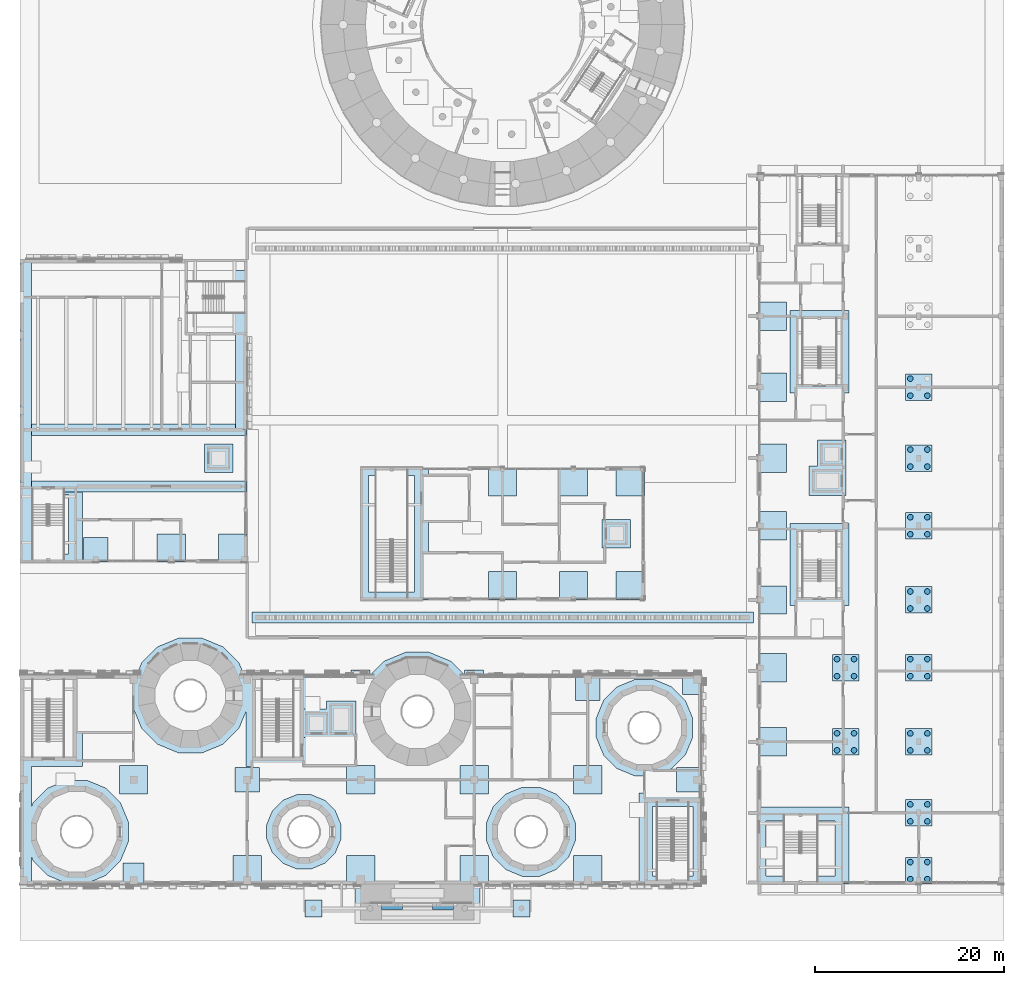
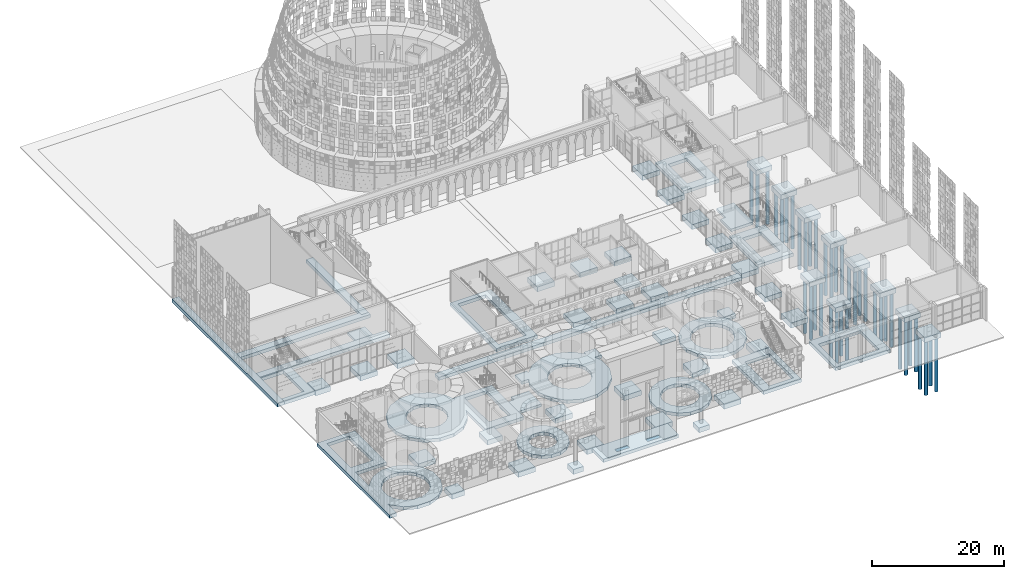
# One storey, part 1 of 125: 65 footings, 39 piles.
"""IFC4 building model written with IfcOpenShell, lengths in metres."""

from ifc_helpers import new_model, si_unit, direction, frame, origin, origin_2d, place, context, subcontext, project, spatial, polyline, rectangle, circle, outline, extrude, material, material_profile, profile_set, type_object, element, save


model = new_model("IFC4")

# Units and contexts
model_context = context("Model", 3, precision=1e-05, world=origin(), true_north=direction((0.0, 1.0)))
body_context = subcontext(model_context, "Body", "Model", "MODEL_VIEW")
ifc_project = project(units=[si_unit("LENGTHUNIT", "METRE"), si_unit("AREAUNIT", "SQUARE_METRE"), si_unit("VOLUMEUNIT", "CUBIC_METRE"), si_unit("PLANEANGLEUNIT", "RADIAN"), si_unit("MASSUNIT", "GRAM", prefix="KILO")], contexts=[model_context])

# Site, building, storey
site_placement = place(None, origin())
site = spatial("IfcSite", under=ifc_project, at=site_placement, CompositionType="ELEMENT")
building_placement = place(site_placement, origin())
building = spatial("IfcBuilding", under=site, at=building_placement, Name="Sun Court Science Centre", CompositionType="ELEMENT")
storey_placement = place(building_placement, origin())
storey = spatial("IfcBuildingStorey", under=building, at=storey_placement, Name="L00", CompositionType="ELEMENT", Elevation=0.0)

# Footing
ifc_material_1 = material(Name="Concrete C30/37", Category="concrete")
footing_type_1 = type_object("IfcFootingType", Name="Arcade strip footing 1200", PredefinedType="STRIP_FOOTING", material=ifc_material_1)
footing_1_placement = place(storey_placement, frame((51.0, 34.14990234375, -0.60009765625), z_axis=(0.0, 0.0, 1.0), x_axis=(1.0, 0.0, 0.0)))
element("IfcFooting", 1, at=footing_1_placement, inside=storey, type_object=footing_type_1, Name="Arcade strip footing AR1", PredefinedType="STRIP_FOOTING", context=body_context, shape_type="SweptSolid", body=[
    extrude(rectangle(XDim=53.0, YDim=1.199951171875, at=origin_2d()), origin(), (0.0, 0.0, 1.0), 0.60009765625),
])

# Piles
ifc_material_2 = material(Name="Concrete C30/37", Category="concrete")
ifc_material_profile = material_profile(ifc_material_2, circle(Radius=0.300048828125, at=origin_2d()), Name="RC D600")
ifc_profile_set = profile_set([ifc_material_profile], Name="Concrete C30/37")
pile_type = type_object("IfcPileType", Name="Bored pile D600", PredefinedType="BORED", material=ifc_profile_set)
for number, where, z_axis, x_axis, name in (
    (2, (86.35009765625, 20.10009765625, -1.0), (0.0, 0.0, -1.0), (1.0, 0.0, 0.0), "Bored pile 14D 1"),
    (3, (88.14990234375, 20.10009765625, -1.0), (0.0, 0.0, -1.0), (1.0, 0.0, 0.0), "Bored pile 14D 2"),
    (4, (88.14990234375, 21.89990234375, -1.0), (0.0, 0.0, -1.0), (1.0, 0.0, 0.0), "Bored pile 14D 3"),
    (5, (86.35009765625, 21.89990234375, -1.0), (0.0, 0.0, -1.0), (1.0, 0.0, 0.0), "Bored pile 14D 4"),
    (6, (86.35009765625, 27.949951171875, -1.0), (0.0, 0.0, -1.0), (1.0, 0.0, 0.0), "Bored pile 14F 1"),
    (7, (88.14990234375, 27.949951171875, -1.0), (0.0, 0.0, -1.0), (1.0, 0.0, 0.0), "Bored pile 14F 2"),
    (8, (88.14990234375, 29.75, -1.0), (0.0, 0.0, -1.0), (1.0, 0.0, 0.0), "Bored pile 14F 3"),
    (9, (86.35009765625, 29.75, -1.0), (0.0, 0.0, -1.0), (1.0, 0.0, 0.0), "Bored pile 14F 4"),
    (10, (94.10009765625, 6.5, -1.0), (0.0, 0.0, -1.0), (1.0, 0.0, 0.0), "Bored pile 15A 1"),
    (11, (95.89990234375, 6.5, -1.0), (0.0, 0.0, -1.0), (1.0, 0.0, 0.0), "Bored pile 15A 2"),
    (12, (95.89990234375, 8.300048828125, -1.0), (0.0, 0.0, -1.0), (1.0, 0.0, 0.0), "Bored pile 15A 3"),
    (13, (94.10009765625, 8.300048828125, -1.0), (0.0, 0.0, -1.0), (1.0, 0.0, 0.0), "Bored pile 15A 4"),
    (14, (94.10009765625, 12.60009765625, -1.0), (0.0, 0.0, -1.0), (1.0, 0.0, 0.0), "Bored pile 15B 1"),
    (15, (95.89990234375, 12.60009765625, -1.0), (0.0, 0.0, -1.0), (1.0, 0.0, 0.0), "Bored pile 15B 2"),
    (16, (95.89990234375, 14.39990234375, -1.0), (0.0, 0.0, -1.0), (1.0, 0.0, 0.0), "Bored pile 15B 3"),
    (17, (94.10009765625, 14.39990234375, -1.0), (0.0, 0.0, -1.0), (1.0, 0.0, 0.0), "Bored pile 15B 4"),
    (18, (94.10009765625, 20.10009765625, -1.0), (0.0, 0.0, -1.0), (1.0, 0.0, 0.0), "Bored pile 15D 1"),
    (19, (95.89990234375, 20.10009765625, -1.0), (0.0, 0.0, -1.0), (1.0, 0.0, 0.0), "Bored pile 15D 2"),
    (20, (95.89990234375, 21.89990234375, -1.0), (0.0, 0.0, -1.0), (1.0, 0.0, 0.0), "Bored pile 15D 3"),
    (21, (94.10009765625, 21.89990234375, -1.0), (0.0, 0.0, -1.0), (1.0, 0.0, 0.0), "Bored pile 15D 4"),
    (22, (94.10009765625, 27.949951171875, -1.0), (0.0, 0.0, -1.0), (1.0, 0.0, 0.0), "Bored pile 15F 1"),
    (23, (95.89990234375, 27.949951171875, -1.0), (0.0, 0.0, -1.0), (1.0, 0.0, 0.0), "Bored pile 15F 2"),
    (24, (95.89990234375, 29.75, -1.0), (0.0, 0.0, -1.0), (1.0, 0.0, 0.0), "Bored pile 15F 3"),
    (25, (94.10009765625, 29.75, -1.0), (0.0, 0.0, -1.0), (1.0, 0.0, 0.0), "Bored pile 15F 4"),
    (26, (94.10009765625, 35.10009765625, -1.0), (0.0, 0.0, -1.0), (1.0, 0.0, 0.0), "Bored pile 15G 1"),
    (27, (95.89990234375, 35.10009765625, -1.0), (0.0, 0.0, -1.0), (1.0, 0.0, 0.0), "Bored pile 15G 2"),
    (28, (95.89990234375, 36.89990234375, -1.0), (0.0, 0.0, -1.0), (1.0, 0.0, 0.0), "Bored pile 15G 3"),
    (29, (94.10009765625, 36.89990234375, -1.0), (0.0, 0.0, -1.0), (1.0, 0.0, 0.0), "Bored pile 15G 4"),
    (30, (94.10009765625, 42.949951171875, -1.0), (0.0, 0.0, -1.0), (1.0, 0.0, 0.0), "Bored pile 15J 1"),
    (31, (95.89990234375, 42.949951171875, -1.0), (0.0, 0.0, -1.0), (1.0, 0.0, 0.0), "Bored pile 15J 2"),
    (32, (95.89990234375, 44.75, -1.0), (0.0, 0.0, -1.0), (1.0, 0.0, 0.0), "Bored pile 15J 3"),
    (33, (94.10009765625, 44.75, -1.0), (0.0, 0.0, -1.0), (1.0, 0.0, 0.0), "Bored pile 15J 4"),
    (34, (94.10009765625, 50.10009765625, -1.0), (0.0, 0.0, -1.0), (1.0, 0.0, 0.0), "Bored pile 15M 1"),
    (35, (95.89990234375, 50.10009765625, -1.0), (0.0, 0.0, -1.0), (1.0, 0.0, 0.0), "Bored pile 15M 2"),
    (36, (95.89990234375, 51.89990234375, -1.0), (0.0, 0.0, -1.0), (1.0, 0.0, 0.0), "Bored pile 15M 3"),
    (37, (94.10009765625, 51.89990234375, -1.0), (0.0, 0.0, -1.0), (1.0, 0.0, 0.0), "Bored pile 15M 4"),
    (38, (94.10009765625, 57.60009765625, -1.0), (0.0, 0.0, -1.0), (1.0, 0.0, 0.0), "Bored pile 15P 1"),
    (39, (95.89990234375, 57.60009765625, -1.0), (0.0, 0.0, -1.0), (1.0, 0.0, 0.0), "Bored pile 15P 2"),
    (40, (94.10009765625, 59.39990234375, -1.0), (0.0, 0.0, -1.0), (1.0, 0.0, 0.0), "Bored pile 15P 4"),
):
    element("IfcPile", number, at=place(storey_placement, frame(where, z_axis=z_axis, x_axis=x_axis)), inside=storey, type_object=pile_type, Name=name, PredefinedType="BORED", context=body_context, shape_type="SweptSolid", body=[
        extrude(circle(Radius=0.300048828125, at=origin_2d()), origin(), (0.0, 0.0, 1.0), 10.10009765625),
    ])

# Footings
ifc_material_3 = material(Name="Concrete C30/37", Category="concrete")
footing_type_2 = type_object("IfcFootingType", Name="Iwan jamb footing 700", PredefinedType="STRIP_FOOTING", material=ifc_material_3)
for number, where, z_axis, x_axis, name in (
    (41, (39.30517578125, 3.64990234375, -0.800048828125), (0.0, 0.0, 1.0), (1.0, 0.0, 0.0), "Iwan jamb footing west"),
    (42, (44.69482421875, 3.64990234375, -0.800048828125), (0.0, 0.0, 1.0), (1.0, 0.0, 0.0), "Iwan jamb footing east"),
):
    element("IfcFooting", number, at=place(storey_placement, frame(where, z_axis=z_axis, x_axis=x_axis)), inside=storey, type_object=footing_type_2, Name=name, PredefinedType="STRIP_FOOTING", context=body_context, shape_type="SweptSolid", body=[
        extrude(rectangle(XDim=2.21044921875, YDim=0.699951171875, at=origin_2d()), origin(), (0.0, 0.0, 1.0), 0.60009765625),
    ])
ifc_material_4 = material(Name="Concrete C30/37", Category="concrete")
footing_type_3 = type_object("IfcFootingType", Name="Lift pit mat", PredefinedType="PAD_FOOTING", material=ifc_material_4)
footing_2_placement = place(storey_placement, frame((0.0, 0.0, -1.89990234375)))
element("IfcFooting", 43, at=footing_2_placement, inside=storey, type_object=footing_type_3, Name="Lift pit mat footing", PredefinedType="PAD_FOOTING", context=body_context, shape_type="SweptSolid", body=[
    extrude(outline(polyline([(29.847412109375, 24.472412109375), (29.847412109375, 21.447509765625), (32.87255859375, 21.447509765625), (32.87255859375, 21.449951171875), (35.5, 21.449951171875), (35.5, 25.35009765625), (32.39990234375, 25.35009765625), (32.39990234375, 24.472412109375), (29.847412109375, 24.472412109375)])), origin(), (0.0, 0.0, 1.0), 0.5),
])
footing_3_placement = place(storey_placement, frame((0.0, 0.0, -1.89990234375)))
element("IfcFooting", 44, at=footing_3_placement, inside=storey, type_object=footing_type_3, Name="Lift pit mat footing", PredefinedType="PAD_FOOTING", context=body_context, shape_type="SweptSolid", body=[
    extrude(outline(polyline([(83.39990234375, 50.14990234375), (83.39990234375, 47.050048828125), (87.300048828125, 47.050048828125), (87.300048828125, 49.887451171875), (87.302490234375, 49.887451171875), (87.302490234375, 52.91259765625), (84.277587890625, 52.91259765625), (84.277587890625, 50.14990234375), (83.39990234375, 50.14990234375)])), origin(), (0.0, 0.0, 1.0), 0.5),
])
footing_4_placement = place(storey_placement, frame((0.0, 0.0, -1.89990234375)))
element("IfcFooting", 45, at=footing_4_placement, inside=storey, type_object=footing_type_3, Name="Lift pit mat footing", PredefinedType="PAD_FOOTING", context=body_context, shape_type="SweptSolid", body=[
    extrude(outline(polyline([(19.487548828125, 49.487548828125), (22.512451171875, 49.487548828125), (22.512451171875, 52.512451171875), (19.487548828125, 52.512451171875), (19.487548828125, 49.487548828125)])), origin(), (0.0, 0.0, 1.0), 0.5),
])
footing_5_placement = place(storey_placement, frame((0.0, 0.0, -1.89990234375)))
element("IfcFooting", 46, at=footing_5_placement, inside=storey, type_object=footing_type_3, Name="Lift pit mat footing", PredefinedType="PAD_FOOTING", context=body_context, shape_type="SweptSolid", body=[
    extrude(outline(polyline([(61.487548828125, 41.487548828125), (64.512451171875, 41.487548828125), (64.512451171875, 44.512451171875), (61.487548828125, 44.512451171875), (61.487548828125, 41.487548828125)])), origin(), (0.0, 0.0, 1.0), 0.5),
])
ifc_material_5 = material(Name="Concrete C30/37", Category="concrete")
footing_type_4 = type_object("IfcFootingType", Name="Pad footing 1800 1800 900", PredefinedType="PAD_FOOTING", material=ifc_material_5)
for number, where, z_axis, x_axis, name in (
    (47, (31.0, 3.39990234375, -1.099853515625), (0.0, 0.0, 1.0), (1.0, 0.0, 0.0), "Pad footing CP1"),
    (48, (53.0, 3.39990234375, -1.099853515625), (0.0, 0.0, 1.0), (1.0, 0.0, 0.0), "Pad footing CP4"),
):
    element("IfcFooting", number, at=place(storey_placement, frame(where, z_axis=z_axis, x_axis=x_axis)), inside=storey, type_object=footing_type_4, Name=name, PredefinedType="PAD_FOOTING", context=body_context, shape_type="SweptSolid", body=[
        extrude(rectangle(XDim=1.800048828125, YDim=1.800048828125, at=origin_2d()), origin(), (0.0, 0.0, 1.0), 0.89990234375),
    ])
ifc_material_6 = material(Name="Concrete C30/37", Category="concrete")
footing_type_5 = type_object("IfcFootingType", Name="Pad footing 2000 2000 900", PredefinedType="PAD_FOOTING", material=ifc_material_6)
footing_6_placement = place(storey_placement, frame((71.0, 27.0, -1.099853515625), z_axis=(0.0, 0.0, 1.0), x_axis=(1.0, 0.0, 0.0)))
element("IfcFooting", 49, at=footing_6_placement, inside=storey, type_object=footing_type_5, Name="Pad footing 11E", PredefinedType="PAD_FOOTING", context=body_context, shape_type="SweptSolid", body=[
    extrude(rectangle(XDim=2.0, YDim=2.0, at=origin_2d()), origin(), (0.0, 0.0, 1.0), 0.89990234375),
])
ifc_material_7 = material(Name="Concrete C30/37", Category="concrete")
footing_type_6 = type_object("IfcFootingType", Name="Pad footing 2200 2200 900", PredefinedType="PAD_FOOTING", material=ifc_material_7)
footing_7_placement = place(storey_placement, frame((12.0, 7.10009765625, -1.099853515625), z_axis=(0.0, 0.0, 1.0), x_axis=(1.0, 0.0, 0.0)))
element("IfcFooting", 50, at=footing_7_placement, inside=storey, type_object=footing_type_6, Name="Pad footing 2A", PredefinedType="PAD_FOOTING", context=body_context, shape_type="SweptSolid", body=[
    extrude(rectangle(XDim=2.199951171875, YDim=2.199951171875, at=origin_2d()), origin(), (0.0, 0.0, 1.0), 0.89990234375),
])
ifc_material_8 = material(Name="Concrete C30/37", Category="concrete")
footing_type_7 = type_object("IfcFootingType", Name="Pad footing 2600 2600 900", PredefinedType="PAD_FOOTING", material=ifc_material_8)
for number, where, z_axis, x_axis, name in (
    (51, (24.0, 17.0, -1.099853515625), (0.0, 0.0, 1.0), (1.0, 0.0, 0.0), "Pad footing 3C"),
    (52, (60.0, 26.699951171875, -1.099853515625), (0.0, 0.0, 1.0), (1.0, 0.0, 0.0), "Pad footing 9E"),
    (53, (70.699951171875, 17.0, -1.099853515625), (0.0, 0.0, 1.0), (1.0, 0.0, 0.0), "Pad footing 11C"),
    (54, (8.0, 41.300048828125, -1.099853515625), (0.0, 0.0, 1.0), (1.0, 0.0, 0.0), "Pad footing A"),
):
    element("IfcFooting", number, at=place(storey_placement, frame(where, z_axis=z_axis, x_axis=x_axis)), inside=storey, type_object=footing_type_7, Name=name, PredefinedType="PAD_FOOTING", context=body_context, shape_type="SweptSolid", body=[
        extrude(rectangle(XDim=2.60009765625, YDim=2.60009765625, at=origin_2d()), origin(), (0.0, 0.0, 1.0), 0.89990234375),
    ])
ifc_material_9 = material(Name="Concrete C30/37", Category="concrete")
footing_type_8 = type_object("IfcFootingType", Name="Pad footing 3000 3000 900", PredefinedType="PAD_FOOTING", material=ifc_material_9)
for number, where, z_axis, x_axis, name in (
    (55, (12.0, 17.0, -1.099853515625), (0.0, 0.0, 1.0), (1.0, 0.0, 0.0), "Pad footing 2C"),
    (56, (24.0, 7.5, -1.099853515625), (0.0, 0.0, 1.0), (1.0, 0.0, 0.0), "Pad footing 3A"),
    (57, (36.0, 7.5, -1.099853515625), (0.0, 0.0, 1.0), (1.0, 0.0, 0.0), "Pad footing 4A"),
    (58, (36.0, 17.0, -1.099853515625), (0.0, 0.0, 1.0), (1.0, 0.0, 0.0), "Pad footing 4C"),
    (59, (48.0, 7.5, -1.099853515625), (0.0, 0.0, 1.0), (1.0, 0.0, 0.0), "Pad footing 6A"),
    (60, (48.0, 17.0, -1.099853515625), (0.0, 0.0, 1.0), (1.0, 0.0, 0.0), "Pad footing 6C"),
    (61, (60.0, 7.5, -1.099853515625), (0.0, 0.0, 1.0), (1.0, 0.0, 0.0), "Pad footing 9A"),
    (62, (60.0, 17.0, -1.099853515625), (0.0, 0.0, 1.0), (1.0, 0.0, 0.0), "Pad footing 9C"),
    (63, (79.5, 21.0, -1.099853515625), (0.0, 0.0, 1.0), (1.0, 0.0, 0.0), "Pad footing 12D"),
    (64, (79.5, 28.85009765625, -1.099853515625), (0.0, 0.0, 1.0), (1.0, 0.0, 0.0), "Pad footing 12F"),
    (65, (79.5, 36.0, -1.099853515625), (0.0, 0.0, 1.0), (1.0, 0.0, 0.0), "Pad footing 12G"),
    (66, (79.5, 43.85009765625, -1.099853515625), (0.0, 0.0, 1.0), (1.0, 0.0, 0.0), "Pad footing 12J"),
    (67, (79.5, 51.0, -1.099853515625), (0.0, 0.0, 1.0), (1.0, 0.0, 0.0), "Pad footing 12M"),
    (68, (79.5, 58.5, -1.099853515625), (0.0, 0.0, 1.0), (1.0, 0.0, 0.0), "Pad footing 12P"),
    (69, (79.5, 66.0, -1.099853515625), (0.0, 0.0, 1.0), (1.0, 0.0, 0.0), "Pad footing 12R"),
    (70, (16.0, 41.5, -1.099853515625), (0.0, 0.0, 1.0), (1.0, 0.0, 0.0), "Pad footing B"),
    (71, (22.5, 41.5, -1.099853515625), (0.0, 0.0, 1.0), (1.0, 0.0, 0.0), "Pad footing C"),
    (72, (51.0, 37.5, -1.099853515625), (0.0, 0.0, 1.0), (1.0, 0.0, 0.0), "Pad footing 7G"),
    (73, (51.0, 48.5, -1.099853515625), (0.0, 0.0, 1.0), (1.0, 0.0, 0.0), "Pad footing 750"),
    (74, (58.5, 37.5, -1.099853515625), (0.0, 0.0, 1.0), (1.0, 0.0, 0.0), "Pad footing 8G"),
    (75, (58.5, 48.5, -1.099853515625), (0.0, 0.0, 1.0), (1.0, 0.0, 0.0), "Pad footing 850"),
    (76, (64.5, 37.5, -1.099853515625), (0.0, 0.0, 1.0), (1.0, 0.0, 0.0), "Pad footing 10G"),
    (77, (64.5, 48.5, -1.099853515625), (0.0, 0.0, 1.0), (1.0, 0.0, 0.0), "Pad footing 1050"),
):
    element("IfcFooting", number, at=place(storey_placement, frame(where, z_axis=z_axis, x_axis=x_axis)), inside=storey, type_object=footing_type_8, Name=name, PredefinedType="PAD_FOOTING", context=body_context, shape_type="SweptSolid", body=[
        extrude(rectangle(XDim=3.0, YDim=3.0, at=origin_2d()), origin(), (0.0, 0.0, 1.0), 0.89990234375),
    ])
ifc_material_10 = material(Name="Concrete C30/37", Category="concrete")
footing_type_9 = type_object("IfcFootingType", Name="Pile cap 2800 2800 900", PredefinedType="PILE_CAP", material=ifc_material_10)
for number, where, z_axis, x_axis, name in (
    (78, (87.25, 21.0, -1.099853515625), (0.0, 0.0, 1.0), (1.0, 0.0, 0.0), "Pile cap 14D"),
    (79, (87.25, 28.85009765625, -1.099853515625), (0.0, 0.0, 1.0), (1.0, 0.0, 0.0), "Pile cap 14F"),
    (80, (95.0, 7.39990234375, -1.099853515625), (0.0, 0.0, 1.0), (1.0, 0.0, 0.0), "Pile cap 15A"),
    (81, (95.0, 13.5, -1.099853515625), (0.0, 0.0, 1.0), (1.0, 0.0, 0.0), "Pile cap 15B"),
    (82, (95.0, 21.0, -1.099853515625), (0.0, 0.0, 1.0), (1.0, 0.0, 0.0), "Pile cap 15D"),
    (83, (95.0, 28.85009765625, -1.099853515625), (0.0, 0.0, 1.0), (1.0, 0.0, 0.0), "Pile cap 15F"),
    (84, (95.0, 36.0, -1.099853515625), (0.0, 0.0, 1.0), (1.0, 0.0, 0.0), "Pile cap 15G"),
    (85, (95.0, 43.85009765625, -1.099853515625), (0.0, 0.0, 1.0), (1.0, 0.0, 0.0), "Pile cap 15J"),
    (86, (95.0, 51.0, -1.099853515625), (0.0, 0.0, 1.0), (1.0, 0.0, 0.0), "Pile cap 15M"),
    (87, (95.0, 58.5, -1.099853515625), (0.0, 0.0, 1.0), (1.0, 0.0, 0.0), "Pile cap 15P"),
):
    element("IfcFooting", number, at=place(storey_placement, frame(where, z_axis=z_axis, x_axis=x_axis)), inside=storey, type_object=footing_type_9, Name=name, PredefinedType="PILE_CAP", context=body_context, shape_type="SweptSolid", body=[
        extrude(rectangle(XDim=2.800048828125, YDim=2.800048828125, at=origin_2d()), origin(), (0.0, 0.0, 1.0), 0.89990234375),
    ])
ifc_material_11 = material(Name="Concrete C30/37", Category="concrete")
footing_type_10 = type_object("IfcFootingType", Name="Strip footing", PredefinedType="STRIP_FOOTING", material=ifc_material_11)
footing_8_placement = place(storey_placement, frame((0.0, 0.0, -0.800048828125)))
element("IfcFooting", 88, at=footing_8_placement, inside=storey, type_object=footing_type_10, Name="Strip and ring footing", PredefinedType="STRIP_FOOTING", context=body_context, shape_type="SweptSolid", body=[
    extrude(outline(polyline([(2.91650390625, 6.88525390625), (4.917236328125, 6.056640625), (7.082763671875, 6.056640625), (9.08349609375, 6.88525390625), (10.61474609375, 8.41650390625), (11.443359375, 10.417236328125), (11.443359375, 12.582763671875), (10.61474609375, 14.58349609375), (9.08349609375, 16.11474609375), (7.082763671875, 16.943359375), (4.917236328125, 16.943359375), (2.91650390625, 16.11474609375), (1.38525390625, 14.58349609375), (1.199951171875, 14.135986328125), (1.199951171875, 18.39990234375), (6.60009765625, 18.39990234375), (6.60009765625, 28.0), (0.0, 28.0), (0.0, 6.0), (1.199951171875, 6.0), (1.199951171875, 8.864013671875), (1.38525390625, 8.41650390625), (2.91650390625, 6.88525390625)]), holes=[polyline([(2.891845703125, 13.576904296875), (3.923095703125, 14.608154296875), (5.270751953125, 15.16650390625), (6.729248046875, 15.16650390625), (8.076904296875, 14.608154296875), (9.108154296875, 13.576904296875), (9.66650390625, 12.229248046875), (9.66650390625, 10.770751953125), (9.108154296875, 9.423095703125), (8.076904296875, 8.391845703125), (6.729248046875, 7.83349609375), (5.270751953125, 7.83349609375), (3.923095703125, 8.391845703125), (2.891845703125, 9.423095703125), (2.33349609375, 10.770751953125), (2.33349609375, 12.229248046875), (2.891845703125, 13.576904296875)]), polyline([(1.199951171875, 27.14990234375), (5.14990234375, 27.14990234375), (5.14990234375, 19.85009765625), (1.199951171875, 19.85009765625), (1.199951171875, 27.14990234375)])]), origin(), (0.0, 0.0, 1.0), 0.60009765625),
])
footing_9_placement = place(storey_placement, frame((0.0, 0.0, -0.800048828125)))
element("IfcFooting", 89, at=footing_9_placement, inside=storey, type_object=footing_type_10, Name="Strip and ring footing", PredefinedType="STRIP_FOOTING", context=body_context, shape_type="SweptSolid", body=[
    extrude(outline(polyline([(16.79052734375, 19.819091796875), (19.20947265625, 19.819091796875), (21.444580078125, 20.744873046875), (23.155029296875, 22.45556640625), (23.89990234375, 24.25390625), (23.89990234375, 18.39990234375), (30.60009765625, 18.39990234375), (30.60009765625, 28.0), (23.89990234375, 28.0), (23.89990234375, 27.546142578125), (23.155029296875, 29.344482421875), (21.444580078125, 31.05517578125), (19.20947265625, 31.98095703125), (16.79052734375, 31.98095703125), (14.555419921875, 31.05517578125), (12.844970703125, 29.344482421875), (11.919189453125, 27.109619140625), (11.919189453125, 24.6904296875), (12.844970703125, 22.45556640625), (14.555419921875, 20.744873046875), (16.79052734375, 19.819091796875)]), holes=[polyline([(25.35009765625, 19.85009765625), (25.35009765625, 27.14990234375), (29.14990234375, 27.14990234375), (29.14990234375, 19.85009765625), (25.35009765625, 19.85009765625)]), polyline([(14.873046875, 26.52197265625), (15.34912109375, 27.67138671875), (16.228759765625, 28.551025390625), (17.3779296875, 29.027099609375), (18.6220703125, 29.027099609375), (19.771240234375, 28.551025390625), (20.65087890625, 27.67138671875), (21.126953125, 26.52197265625), (21.126953125, 25.278076171875), (20.65087890625, 24.128662109375), (19.771240234375, 23.2490234375), (18.6220703125, 22.77294921875), (17.3779296875, 22.77294921875), (16.228759765625, 23.2490234375), (15.34912109375, 24.128662109375), (14.873046875, 25.278076171875), (14.873046875, 26.52197265625)])]), origin(), (0.0, 0.0, 1.0), 0.60009765625),
])
footing_10_placement = place(storey_placement, frame((0.0, 0.0, -0.800048828125)))
element("IfcFooting", 90, at=footing_10_placement, inside=storey, type_object=footing_type_10, Name="Strip and ring footing", PredefinedType="STRIP_FOOTING", context=body_context, shape_type="SweptSolid", body=[
    extrude(outline(polyline([(27.77783203125, 8.174072265625), (29.2197265625, 7.576904296875), (30.7802734375, 7.576904296875), (32.22216796875, 8.174072265625), (33.325927734375, 9.27783203125), (33.923095703125, 10.7197265625), (33.923095703125, 12.2802734375), (33.325927734375, 13.72216796875), (32.22216796875, 14.825927734375), (30.7802734375, 15.423095703125), (29.2197265625, 15.423095703125), (27.77783203125, 14.825927734375), (26.674072265625, 13.72216796875), (26.076904296875, 12.2802734375), (26.076904296875, 10.7197265625), (26.674072265625, 9.27783203125), (27.77783203125, 8.174072265625)]), holes=[polyline([(28.180419921875, 12.7158203125), (28.7841796875, 13.319580078125), (29.572998046875, 13.646240234375), (30.427001953125, 13.646240234375), (31.2158203125, 13.319580078125), (31.819580078125, 12.7158203125), (32.146240234375, 11.927001953125), (32.146240234375, 11.072998046875), (31.819580078125, 10.2841796875), (31.2158203125, 9.680419921875), (30.427001953125, 9.353759765625), (29.572998046875, 9.353759765625), (28.7841796875, 9.680419921875), (28.180419921875, 10.2841796875), (27.853759765625, 11.072998046875), (27.853759765625, 11.927001953125), (28.180419921875, 12.7158203125)])]), origin(), (0.0, 0.0, 1.0), 0.60009765625),
])
footing_11_placement = place(storey_placement, frame((0.0, 0.0, -0.800048828125)))
element("IfcFooting", 91, at=footing_11_placement, inside=storey, type_object=footing_type_10, Name="Strip and ring footing", PredefinedType="STRIP_FOOTING", context=body_context, shape_type="SweptSolid", body=[
    extrude(outline(polyline([(36.6787109375, 20.644287109375), (38.4443359375, 18.878662109375), (40.75146484375, 17.923095703125), (43.24853515625, 17.923095703125), (45.5556640625, 18.878662109375), (47.3212890625, 20.644287109375), (48.277099609375, 22.951416015625), (48.277099609375, 25.448486328125), (47.800048828125, 26.60009765625), (49.0, 26.60009765625), (49.0, 28.60009765625), (47.0, 28.60009765625), (47.0, 28.0771484375), (45.5556640625, 29.521484375), (43.24853515625, 30.47705078125), (40.75146484375, 30.47705078125), (38.4443359375, 29.521484375), (37.0, 28.0771484375), (37.0, 28.60009765625), (35.0, 28.60009765625), (35.0, 26.60009765625), (36.199951171875, 26.60009765625), (35.722900390625, 25.448486328125), (35.722900390625, 22.951416015625), (36.6787109375, 20.644287109375)]), holes=[polyline([(38.6767578125, 24.861083984375), (39.182861328125, 26.08251953125), (40.11767578125, 27.017333984375), (41.3388671875, 27.523193359375), (42.6611328125, 27.523193359375), (43.88232421875, 27.017333984375), (44.817138671875, 26.08251953125), (45.3232421875, 24.861083984375), (45.3232421875, 23.5390625), (44.817138671875, 22.317626953125), (43.88232421875, 21.3828125), (42.6611328125, 20.876953125), (41.3388671875, 20.876953125), (40.11767578125, 21.3828125), (39.182861328125, 22.317626953125), (38.6767578125, 23.5390625), (38.6767578125, 24.861083984375)])]), origin(), (0.0, 0.0, 1.0), 0.60009765625),
])
footing_12_placement = place(storey_placement, frame((0.0, 0.0, -0.800048828125)))
element("IfcFooting", 92, at=footing_12_placement, inside=storey, type_object=footing_type_10, Name="Strip and ring footing", PredefinedType="STRIP_FOOTING", context=body_context, shape_type="SweptSolid", body=[
    extrude(outline(polyline([(50.009033203125, 8.833251953125), (51.333251953125, 7.509033203125), (53.0634765625, 6.792236328125), (54.9365234375, 6.792236328125), (56.666748046875, 7.509033203125), (57.990966796875, 8.833251953125), (58.707763671875, 10.5634765625), (58.707763671875, 12.4365234375), (57.990966796875, 14.166748046875), (56.666748046875, 15.490966796875), (54.9365234375, 16.207763671875), (53.0634765625, 16.207763671875), (51.333251953125, 15.490966796875), (50.009033203125, 14.166748046875), (49.292236328125, 12.4365234375), (49.292236328125, 10.5634765625), (50.009033203125, 8.833251953125)]), holes=[polyline([(51.069091796875, 12.0830078125), (51.515380859375, 13.16015625), (52.33984375, 13.984619140625), (53.4169921875, 14.430908203125), (54.5830078125, 14.430908203125), (55.66015625, 13.984619140625), (56.484619140625, 13.16015625), (56.930908203125, 12.0830078125), (56.930908203125, 10.9169921875), (56.484619140625, 9.83984375), (55.66015625, 9.015380859375), (54.5830078125, 8.569091796875), (53.4169921875, 8.569091796875), (52.33984375, 9.015380859375), (51.515380859375, 9.83984375), (51.069091796875, 10.9169921875), (51.069091796875, 12.0830078125)])]), origin(), (0.0, 0.0, 1.0), 0.60009765625),
])
footing_13_placement = place(storey_placement, frame((0.0, 0.0, -0.800048828125)))
element("IfcFooting", 93, at=footing_13_placement, inside=storey, type_object=footing_type_10, Name="Strip and ring footing", PredefinedType="STRIP_FOOTING", context=body_context, shape_type="SweptSolid", body=[
    extrude(outline(polyline([(63.111083984375, 18.17626953125), (64.985595703125, 17.39990234375), (67.014404296875, 17.39990234375), (68.888916015625, 18.17626953125), (70.32373046875, 19.611083984375), (71.10009765625, 21.485595703125), (71.10009765625, 23.514404296875), (70.32373046875, 25.388916015625), (68.888916015625, 26.82373046875), (67.014404296875, 27.60009765625), (64.985595703125, 27.60009765625), (63.111083984375, 26.82373046875), (61.67626953125, 25.388916015625), (60.89990234375, 23.514404296875), (60.89990234375, 21.485595703125), (61.67626953125, 19.611083984375), (63.111083984375, 18.17626953125)]), holes=[polyline([(63.182861328125, 24.38232421875), (64.11767578125, 25.317138671875), (65.3388671875, 25.8232421875), (66.6611328125, 25.8232421875), (67.88232421875, 25.317138671875), (68.817138671875, 24.38232421875), (69.3232421875, 23.1611328125), (69.3232421875, 21.8388671875), (68.817138671875, 20.61767578125), (67.88232421875, 19.682861328125), (66.6611328125, 19.1767578125), (65.3388671875, 19.1767578125), (64.11767578125, 19.682861328125), (63.182861328125, 20.61767578125), (62.6767578125, 21.8388671875), (62.6767578125, 23.1611328125), (63.182861328125, 24.38232421875)])]), origin(), (0.0, 0.0, 1.0), 0.60009765625),
])
footing_14_placement = place(storey_placement, frame((0.0, 0.0, -0.800048828125)))
element("IfcFooting", 94, at=footing_14_placement, inside=storey, type_object=footing_type_10, Name="Strip and ring footing", PredefinedType="STRIP_FOOTING", context=body_context, shape_type="SweptSolid", body=[
    extrude(outline(polyline([(65.39990234375, 6.0), (72.0, 6.0), (72.0, 15.60009765625), (65.39990234375, 15.60009765625), (65.39990234375, 6.0)]), holes=[polyline([(66.85009765625, 6.85009765625), (66.85009765625, 14.14990234375), (71.14990234375, 14.14990234375), (71.14990234375, 6.85009765625), (66.85009765625, 6.85009765625)])]), origin(), (0.0, 0.0, 1.0), 0.60009765625),
])
footing_15_placement = place(storey_placement, frame((0.0, 0.0, -0.800048828125)))
element("IfcFooting", 95, at=footing_15_placement, inside=storey, type_object=footing_type_10, Name="Strip footing", PredefinedType="STRIP_FOOTING", context=body_context, shape_type="SweptSolid", body=[
    extrude(outline(polyline([(78.0, 14.10009765625), (78.0, 6.0), (87.60009765625, 6.0), (87.60009765625, 14.10009765625), (78.0, 14.10009765625)]), holes=[polyline([(86.14990234375, 6.85009765625), (78.85009765625, 6.85009765625), (78.85009765625, 12.64990234375), (86.14990234375, 12.64990234375), (86.14990234375, 6.85009765625)])]), origin(), (0.0, 0.0, 1.0), 0.60009765625),
])
footing_16_placement = place(storey_placement, frame((0.0, 0.0, -0.800048828125)))
element("IfcFooting", 96, at=footing_16_placement, inside=storey, type_object=footing_type_10, Name="Strip footing", PredefinedType="STRIP_FOOTING", context=body_context, shape_type="SweptSolid", body=[
    extrude(outline(polyline([(81.39990234375, 44.10009765625), (81.39990234375, 35.39990234375), (87.60009765625, 35.39990234375), (87.60009765625, 44.10009765625), (81.39990234375, 44.10009765625)]), holes=[polyline([(86.14990234375, 36.85009765625), (82.85009765625, 36.85009765625), (82.85009765625, 42.64990234375), (86.14990234375, 42.64990234375), (86.14990234375, 36.85009765625)])]), origin(), (0.0, 0.0, 1.0), 0.60009765625),
])
footing_17_placement = place(storey_placement, frame((0.0, 0.0, -0.800048828125)))
element("IfcFooting", 97, at=footing_17_placement, inside=storey, type_object=footing_type_10, Name="Strip footing", PredefinedType="STRIP_FOOTING", context=body_context, shape_type="SweptSolid", body=[
    extrude(outline(polyline([(87.60009765625, 66.60009765625), (81.39990234375, 66.60009765625), (81.39990234375, 57.89990234375), (87.60009765625, 57.89990234375), (87.60009765625, 66.60009765625)]), holes=[polyline([(86.14990234375, 65.14990234375), (86.14990234375, 59.35009765625), (82.85009765625, 59.35009765625), (82.85009765625, 65.14990234375), (86.14990234375, 65.14990234375)])]), origin(), (0.0, 0.0, 1.0), 0.60009765625),
])
footing_18_placement = place(storey_placement, frame((0.0, 0.0, -0.800048828125)))
element("IfcFooting", 98, at=footing_18_placement, inside=storey, type_object=footing_type_10, Name="Theatre strip footing", PredefinedType="STRIP_FOOTING", context=body_context, shape_type="SweptSolid", body=[
    extrude(outline(polyline([(0.0, 40.0), (1.199951171875, 40.0), (1.199951171875, 72.0), (0.0, 72.0), (0.0, 40.0)])), origin(), (0.0, 0.0, 1.0), 0.60009765625),
])
footing_19_placement = place(storey_placement, frame((0.0, 0.0, -0.800048828125)))
element("IfcFooting", 99, at=footing_19_placement, inside=storey, type_object=footing_type_10, Name="Theatre strip footing", PredefinedType="STRIP_FOOTING", context=body_context, shape_type="SweptSolid", body=[
    extrude(outline(polyline([(24.0, 54.0), (24.0, 70.800048828125), (22.800048828125, 70.800048828125), (22.800048828125, 54.0), (24.0, 54.0)])), origin(), (0.0, 0.0, 1.0), 0.60009765625),
])
footing_20_placement = place(storey_placement, frame((0.0, 0.0, -0.800048828125)))
element("IfcFooting", 100, at=footing_20_placement, inside=storey, type_object=footing_type_10, Name="Theatre strip footing", PredefinedType="STRIP_FOOTING", context=body_context, shape_type="SweptSolid", body=[
    extrude(outline(polyline([(24.0, 48.60009765625), (1.199951171875, 48.60009765625), (1.199951171875, 47.39990234375), (24.0, 47.39990234375), (24.0, 48.60009765625)])), origin(), (0.0, 0.0, 1.0), 0.60009765625),
])
footing_21_placement = place(storey_placement, frame((0.0, 0.0, -0.800048828125)))
element("IfcFooting", 101, at=footing_21_placement, inside=storey, type_object=footing_type_10, Name="Theatre strip footing", PredefinedType="STRIP_FOOTING", context=body_context, shape_type="SweptSolid", body=[
    extrude(outline(polyline([(24.0, 53.39990234375), (24.0, 54.0), (22.800048828125, 54.0), (22.800048828125, 54.60009765625), (1.199951171875, 54.60009765625), (1.199951171875, 53.39990234375), (24.0, 53.39990234375)])), origin(), (0.0, 0.0, 1.0), 0.60009765625),
])
footing_22_placement = place(storey_placement, frame((0.0, 0.0, -0.800048828125)))
element("IfcFooting", 102, at=footing_22_placement, inside=storey, type_object=footing_type_10, Name="Theatre strip footing", PredefinedType="STRIP_FOOTING", context=body_context, shape_type="SweptSolid", body=[
    extrude(outline(polyline([(6.60009765625, 40.0), (6.60009765625, 47.39990234375), (1.199951171875, 47.39990234375), (1.199951171875, 47.14990234375), (5.14990234375, 47.14990234375), (5.14990234375, 40.85009765625), (1.199951171875, 40.85009765625), (1.199951171875, 40.0), (6.60009765625, 40.0)])), origin(), (0.0, 0.0, 1.0), 0.60009765625),
])
footing_23_placement = place(storey_placement, frame((0.0, 0.0, -0.800048828125)))
element("IfcFooting", 103, at=footing_23_placement, inside=storey, type_object=footing_type_10, Name="Core strip footing", PredefinedType="STRIP_FOOTING", context=body_context, shape_type="SweptSolid", body=[
    extrude(outline(polyline([(43.14990234375, 36.0), (43.14990234375, 50.0), (36.0, 50.0), (36.0, 36.0), (43.14990234375, 36.0)]), holes=[polyline([(41.699951171875, 49.14990234375), (41.699951171875, 36.85009765625), (36.85009765625, 36.85009765625), (36.85009765625, 49.14990234375), (41.699951171875, 49.14990234375)])]), origin(), (0.0, 0.0, 1.0), 0.60009765625),
])
footing_24_placement = place(storey_placement, frame((0.0, 0.0, -0.800048828125)))
element("IfcFooting", 104, at=footing_24_placement, inside=storey, type_object=footing_type_10, Name="Portal strip footing", PredefinedType="STRIP_FOOTING", context=body_context, shape_type="SweptSolid", body=[
    extrude(outline(polyline([(48.60009765625, 2.60009765625), (48.60009765625, 6.0), (35.39990234375, 6.0), (35.39990234375, 2.60009765625), (48.60009765625, 2.60009765625)])), origin(), (0.0, 0.0, 1.0), 0.60009765625),
])

save(model, "model.ifc")
